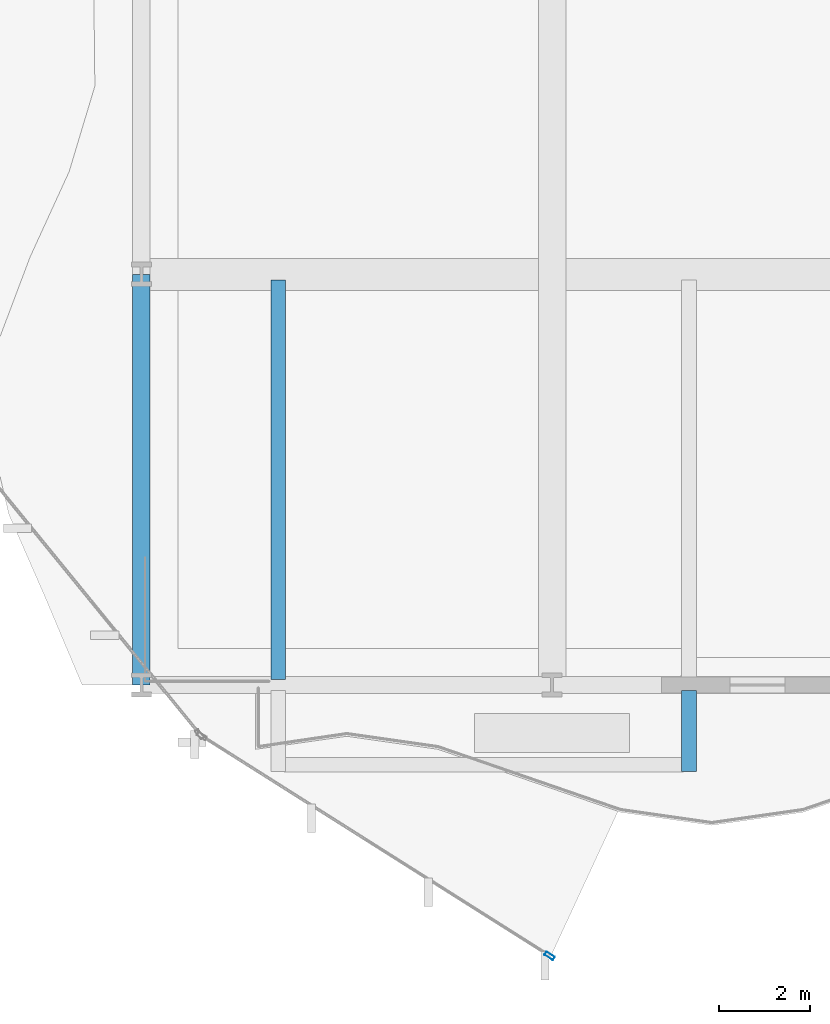
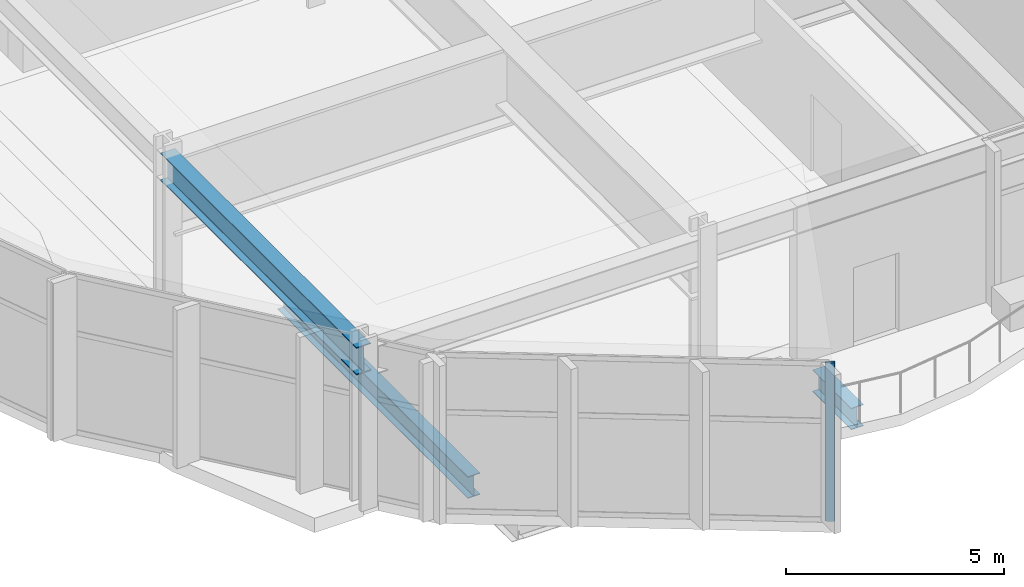
# One storey, part 3 of 31: 3 beams, 1 member, 1 element without a shape of its own.
"""IFC4 building model written with IfcOpenShell, lengths in metres."""

from ifc_helpers import new_model, si_unit, direction, frame, origin, origin_2d, place, context, subcontext, project, spatial, hollow_rectangle, i_section, extrude, material, layer, layer_set, material_profile, profile_set, type_object, element, aggregate, save


model = new_model("IFC4")

# Units and contexts
model_context = context("Model", 3, precision=1e-05, world=origin(), true_north=direction((0.0, 1.0)))
body_context = subcontext(model_context, "Body", "Model", "MODEL_VIEW")
ifc_project = project(units=[si_unit("LENGTHUNIT", "METRE"), si_unit("AREAUNIT", "SQUARE_METRE"), si_unit("VOLUMEUNIT", "CUBIC_METRE"), si_unit("PLANEANGLEUNIT", "RADIAN"), si_unit("MASSUNIT", "GRAM", prefix="KILO")], contexts=[model_context])

# Site, building, storey
site_placement = place(None, origin())
site = spatial("IfcSite", under=ifc_project, at=site_placement, CompositionType="ELEMENT")
building_placement = place(site_placement, origin())
building = spatial("IfcBuilding", under=site, at=building_placement, Name="Solvaryn Broadcast Tower", CompositionType="ELEMENT")
storey_placement = place(building_placement, frame((0.0, 0.0, 26.0)))
storey = spatial("IfcBuildingStorey", under=building, at=storey_placement, Name="L05", CompositionType="ELEMENT", Elevation=26.0)

# Beams
ifc_material_1 = material(Name="Steel ASTM A992 Grade 50", Category="steel")
ifc_material_profile_1 = material_profile(ifc_material_1, i_section(OverallWidth=0.323974609375, OverallDepth=0.611083984375, WebThickness=0.0126953125, FlangeThickness=0.01904296875, FilletRadius=0.014892578125, at=origin_2d()))
ifc_profile_set_1 = profile_set([ifc_material_profile_1], Name="Steel ASTM A992 Grade 50")
beam_type_1 = type_object("IfcBeamType", Name="BM-B1-W24X104", PredefinedType="BEAM", material=ifc_profile_set_1)
beam_1_placement = place(storey_placement, frame((12.0, 17.875, -0.62548828125), z_axis=(0.0, -1.0, 0.0), x_axis=(1.0, 0.0, 0.0)))
element("IfcBeam", 1, at=beam_1_placement, inside=storey, type_object=beam_type_1, Name="L05 Terrace Back-Span Beam X12.0", PredefinedType="BEAM", context=body_context, shape_type="SweptSolid", body=[
    extrude(i_section(OverallWidth=0.323974609375, OverallDepth=0.611083984375, WebThickness=0.0126953125, FlangeThickness=0.01904296875, FilletRadius=0.014892578125, at=origin_2d()), origin(), (0.0, 0.0, 1.0), 8.75),
])
ifc_material_2 = material(Name="Steel ASTM A992 Grade 50", Category="steel")
ifc_material_profile_2 = material_profile(ifc_material_2, i_section(OverallWidth=0.323974609375, OverallDepth=0.611083984375, WebThickness=0.0126953125, FlangeThickness=0.01904296875, FilletRadius=0.014892578125, at=origin_2d()))
ifc_profile_set_2 = profile_set([ifc_material_profile_2], Name="Steel ASTM A992 Grade 50")
beam_type_2 = type_object("IfcBeamType", Name="BM-CANT-TER", PredefinedType="BEAM", material=ifc_profile_set_2)
beam_2_placement = place(storey_placement, frame((21.0, 8.875, -0.62548828125), z_axis=(0.0, -1.0, 0.0), x_axis=(1.0, 0.0, 0.0)))
element("IfcBeam", 2, at=beam_2_placement, inside=storey, type_object=beam_type_2, Name="L05 Terrace Cantilever Beam X21.0", PredefinedType="BEAM", context=body_context, shape_type="SweptSolid", body=[
    extrude(i_section(OverallWidth=0.323974609375, OverallDepth=0.611083984375, WebThickness=0.0126953125, FlangeThickness=0.01904296875, FilletRadius=0.014892578125, at=origin_2d()), origin(), (0.0, 0.0, 1.0), 1.77490234375),
])
ifc_material_3 = material(Name="Steel ASTM A992 Grade 50", Category="steel")
ifc_material_profile_3 = material_profile(ifc_material_3, i_section(OverallWidth=0.381103515625, OverallDepth=0.77294921875, WebThickness=0.0166015625, FlangeThickness=0.027099609375, FilletRadius=0.01806640625, at=origin_2d()))
ifc_profile_set_3 = profile_set([ifc_material_profile_3], Name="Steel ASTM A992 Grade 50")
beam_type_3 = type_object("IfcBeamType", Name="BM-SP1-W30X173", PredefinedType="USERDEFINED", material=ifc_profile_set_3)
beam_3_placement = place(storey_placement, frame((9.0, 9.0, 4.053466796875), z_axis=(0.0, 1.0, 0.0), x_axis=(-1.0, 0.0, 0.0)))
element("IfcBeam", 3, at=beam_3_placement, inside=storey, type_object=beam_type_3, Name="L05 Spandrel Beam Y (9-18 @ X=9)", ObjectType="SPANDREL", PredefinedType="USERDEFINED", context=body_context, shape_type="SweptSolid", body=[
    extrude(i_section(OverallWidth=0.381103515625, OverallDepth=0.77294921875, WebThickness=0.0166015625, FlangeThickness=0.027099609375, FilletRadius=0.01806640625, at=origin_2d()), origin(), (0.0, 0.0, 1.0), 9.0),
])

# Curtain wall, member
ifc_material_4 = material(Name="Aluminium and Terracotta Unitised Curtain Wall", Category="masonry")
ifc_layer = layer(ifc_material_4, 0.219970703125)
ifc_layer_set = layer_set([ifc_layer], Name="CW-SYS1-PODIUM")
curtain_wall_type = type_object("IfcCurtainWallType", Name="CW-SYS1-PODIUM", PredefinedType="NOTDEFINED", material=ifc_layer_set)
curtain_wall_placement = place(storey_placement, origin())
curtain_wall = element("IfcCurtainWall", 4, at=curtain_wall_placement, inside=storey, type_object=curtain_wall_type, Name="L05 Podium Curtain Wall DC4", PredefinedType="NOTDEFINED")
ifc_material_5 = material(Name="Anodised Aluminium 6063-T6", Category="aluminium")
ifc_material_profile_4 = material_profile(ifc_material_5, hollow_rectangle(XDim=0.0849609375, YDim=0.219970703125, WallThickness=0.0048828125, InnerFilletRadius=0.0048828125, OuterFilletRadius=0.010009765625, at=origin_2d()))
ifc_profile_set_4 = profile_set([ifc_material_profile_4], Name="Anodised Aluminium 6063-T6")
member_type = type_object("IfcMemberType", Name="CW-MUL-220", PredefinedType="MULLION", material=ifc_profile_set_4)
member_placement = place(storey_placement, frame((17.944580078125, 3.06298828125, 0.0), z_axis=(0.0, 0.0, 1.0), x_axis=(0.534171200558, 0.845376323595, 0.0)))
member = element("IfcMember", 5, at=member_placement, type_object=member_type, Name="CWS1 mullion 2", PredefinedType="MULLION", context=body_context, shape_type="SweptSolid", body=[
    extrude(hollow_rectangle(XDim=0.0849609375, YDim=0.219970703125, WallThickness=0.0048828125, InnerFilletRadius=0.0048828125, OuterFilletRadius=0.010009765625, at=origin_2d()), origin(), (0.0, 0.0, 1.0), 4.43994140625),
])
aggregate(curtain_wall, [member])

save(model, "model.ifc")
